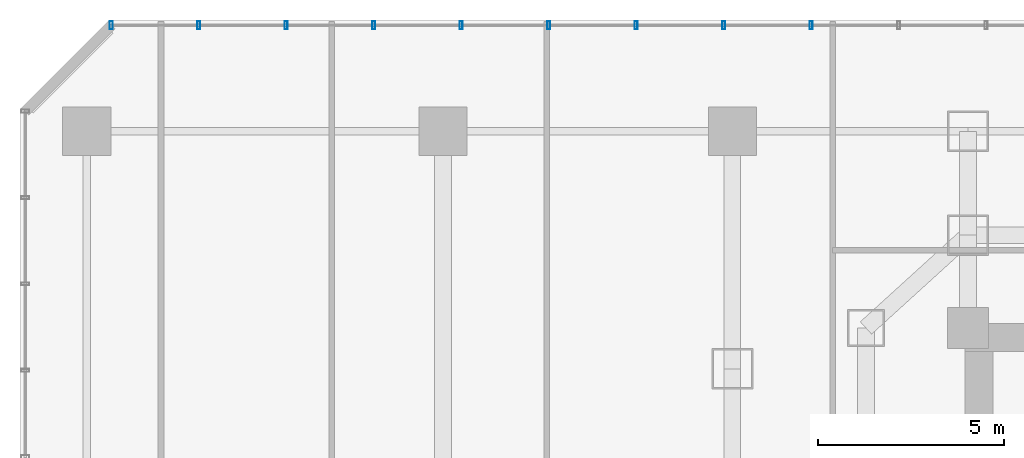
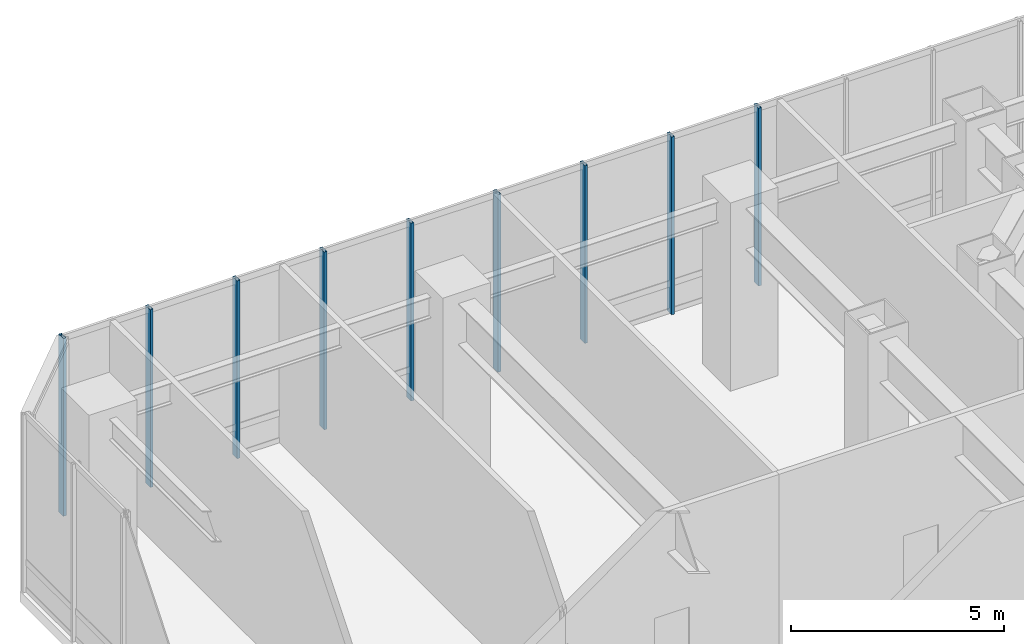
# One storey, part 16 of 35: 9 members, 1 element without a shape of its own.
"""IFC4 building model written with IfcOpenShell, lengths in metres."""

from ifc_helpers import new_model, si_unit, direction, frame, origin, origin_2d, place, context, subcontext, project, spatial, hollow_rectangle, extrude, material, layer, layer_set, material_profile, profile_set, type_object, element, aggregate, save


model = new_model("IFC4")

# Units and contexts
model_context = context("Model", 3, precision=1e-05, world=origin(), true_north=direction((0.0, 1.0)))
body_context = subcontext(model_context, "Body", "Model", "MODEL_VIEW")
ifc_project = project(units=[si_unit("LENGTHUNIT", "METRE"), si_unit("AREAUNIT", "SQUARE_METRE"), si_unit("VOLUMEUNIT", "CUBIC_METRE"), si_unit("PLANEANGLEUNIT", "RADIAN"), si_unit("MASSUNIT", "GRAM", prefix="KILO")], contexts=[model_context])

# Site, building, storey
site_placement = place(None, origin())
site = spatial("IfcSite", under=ifc_project, at=site_placement, CompositionType="ELEMENT")
building_placement = place(site_placement, origin())
building = spatial("IfcBuilding", under=site, at=building_placement, Name="Hatsunagi Terrace Concourse", CompositionType="ELEMENT")
storey_placement = place(building_placement, frame((0.0, 0.0, 16.199951171875)))
storey = spatial("IfcBuildingStorey", under=building, at=storey_placement, Name="L04", CompositionType="ELEMENT", Elevation=16.199951171875)

# Curtain wall, members
ifc_material_1 = material(Name="Anodised Aluminium Alloy 6063-T5", Category="aluminium")
ifc_layer = layer(ifc_material_1, 0.199951171875)
ifc_layer_set = layer_set([ifc_layer], Name="PodiumStorefront_CW01")
curtain_wall_type = type_object("IfcCurtainWallType", Name="PodiumStorefront_CW01", PredefinedType="NOTDEFINED", material=ifc_layer_set)
curtain_wall_placement = place(storey_placement, origin())
curtain_wall = element("IfcCurtainWall", 1, at=curtain_wall_placement, inside=storey, type_object=curtain_wall_type, Name="Unitised Curtain Wall CW-01 CW-L04-12", PredefinedType="NOTDEFINED")
ifc_material_2 = material(Name="Anodised Aluminium Alloy 6063-T5", Category="aluminium")
ifc_material_profile = material_profile(ifc_material_2, hollow_rectangle(XDim=0.080078125, YDim=0.219970703125, WallThickness=0.0048828125, at=origin_2d()), Name="ALU-MUL-220x80x5")
ifc_profile_set = profile_set([ifc_material_profile], Name="Anodised Aluminium Alloy 6063-T5")
member_type = type_object("IfcMemberType", Name="CurtainWallMullion_Heavy_220x80", PredefinedType="MULLION", material=ifc_profile_set)
member_1_placement = place(storey_placement, frame((2.4580078125, 51.4599609375, 0.0), z_axis=(0.0, 0.0, 1.0), x_axis=(1.0, 0.0, 0.0)))
member_1 = element("IfcMember", 2, at=member_1_placement, type_object=member_type, Name="Curtain Wall Mullion MUL-01", PredefinedType="MULLION", context=body_context, shape_type="SweptSolid", body=[
    extrude(hollow_rectangle(XDim=0.080078125, YDim=0.219970703125, WallThickness=0.0048828125, at=origin_2d()), origin(), (0.0, 0.0, 1.0), 5.10009765625),
])
member_2_placement = place(storey_placement, frame((4.81591796875, 51.4599609375, 0.0), z_axis=(0.0, 0.0, 1.0), x_axis=(1.0, 0.0, 0.0)))
member_2 = element("IfcMember", 3, at=member_2_placement, type_object=member_type, Name="Curtain Wall Mullion MUL-01", PredefinedType="MULLION", context=body_context, shape_type="SweptSolid", body=[
    extrude(hollow_rectangle(XDim=0.080078125, YDim=0.219970703125, WallThickness=0.0048828125, at=origin_2d()), origin(), (0.0, 0.0, 1.0), 5.10009765625),
])
member_3_placement = place(storey_placement, frame((7.174072265625, 51.4599609375, 0.0), z_axis=(0.0, 0.0, 1.0), x_axis=(1.0, 0.0, 0.0)))
member_3 = element("IfcMember", 4, at=member_3_placement, type_object=member_type, Name="Curtain Wall Mullion MUL-01", PredefinedType="MULLION", context=body_context, shape_type="SweptSolid", body=[
    extrude(hollow_rectangle(XDim=0.080078125, YDim=0.219970703125, WallThickness=0.0048828125, at=origin_2d()), origin(), (0.0, 0.0, 1.0), 5.10009765625),
])
member_4_placement = place(storey_placement, frame((9.531982421875, 51.4599609375, 0.0), z_axis=(0.0, 0.0, 1.0), x_axis=(1.0, 0.0, 0.0)))
member_4 = element("IfcMember", 5, at=member_4_placement, type_object=member_type, Name="Curtain Wall Mullion MUL-01", PredefinedType="MULLION", context=body_context, shape_type="SweptSolid", body=[
    extrude(hollow_rectangle(XDim=0.080078125, YDim=0.219970703125, WallThickness=0.0048828125, at=origin_2d()), origin(), (0.0, 0.0, 1.0), 5.10009765625),
])
member_5_placement = place(storey_placement, frame((11.889892578125, 51.4599609375, 0.0), z_axis=(0.0, 0.0, 1.0), x_axis=(1.0, 0.0, 0.0)))
member_5 = element("IfcMember", 6, at=member_5_placement, type_object=member_type, Name="Curtain Wall Mullion MUL-01", PredefinedType="MULLION", context=body_context, shape_type="SweptSolid", body=[
    extrude(hollow_rectangle(XDim=0.080078125, YDim=0.219970703125, WallThickness=0.0048828125, at=origin_2d()), origin(), (0.0, 0.0, 1.0), 5.10009765625),
])
member_6_placement = place(storey_placement, frame((14.2470703125, 51.4599609375, 0.0), z_axis=(0.0, 0.0, 1.0), x_axis=(1.0, 0.0, 0.0)))
member_6 = element("IfcMember", 7, at=member_6_placement, type_object=member_type, Name="Curtain Wall Mullion MUL-01", PredefinedType="MULLION", context=body_context, shape_type="SweptSolid", body=[
    extrude(hollow_rectangle(XDim=0.080078125, YDim=0.219970703125, WallThickness=0.0048828125, at=origin_2d()), origin(), (0.0, 0.0, 1.0), 5.10009765625),
])
member_7_placement = place(storey_placement, frame((16.60498046875, 51.4599609375, 0.0), z_axis=(0.0, 0.0, 1.0), x_axis=(1.0, 0.0, 0.0)))
member_7 = element("IfcMember", 8, at=member_7_placement, type_object=member_type, Name="Curtain Wall Mullion MUL-01", PredefinedType="MULLION", context=body_context, shape_type="SweptSolid", body=[
    extrude(hollow_rectangle(XDim=0.080078125, YDim=0.219970703125, WallThickness=0.0048828125, at=origin_2d()), origin(), (0.0, 0.0, 1.0), 5.10009765625),
])
member_8_placement = place(storey_placement, frame((18.962890625, 51.4599609375, 0.0), z_axis=(0.0, 0.0, 1.0), x_axis=(1.0, 0.0, 0.0)))
member_8 = element("IfcMember", 9, at=member_8_placement, type_object=member_type, Name="Curtain Wall Mullion MUL-01", PredefinedType="MULLION", context=body_context, shape_type="SweptSolid", body=[
    extrude(hollow_rectangle(XDim=0.080078125, YDim=0.219970703125, WallThickness=0.0048828125, at=origin_2d()), origin(), (0.0, 0.0, 1.0), 5.10009765625),
])
member_9_placement = place(storey_placement, frame((21.321044921875, 51.4599609375, 0.0), z_axis=(0.0, 0.0, 1.0), x_axis=(1.0, 0.0, 0.0)))
member_9 = element("IfcMember", 10, at=member_9_placement, type_object=member_type, Name="Curtain Wall Mullion MUL-01", PredefinedType="MULLION", context=body_context, shape_type="SweptSolid", body=[
    extrude(hollow_rectangle(XDim=0.080078125, YDim=0.219970703125, WallThickness=0.0048828125, at=origin_2d()), origin(), (0.0, 0.0, 1.0), 5.10009765625),
])
aggregate(curtain_wall, [member_1, member_2, member_3, member_4, member_5, member_6, member_7, member_8, member_9])

save(model, "model.ifc")
